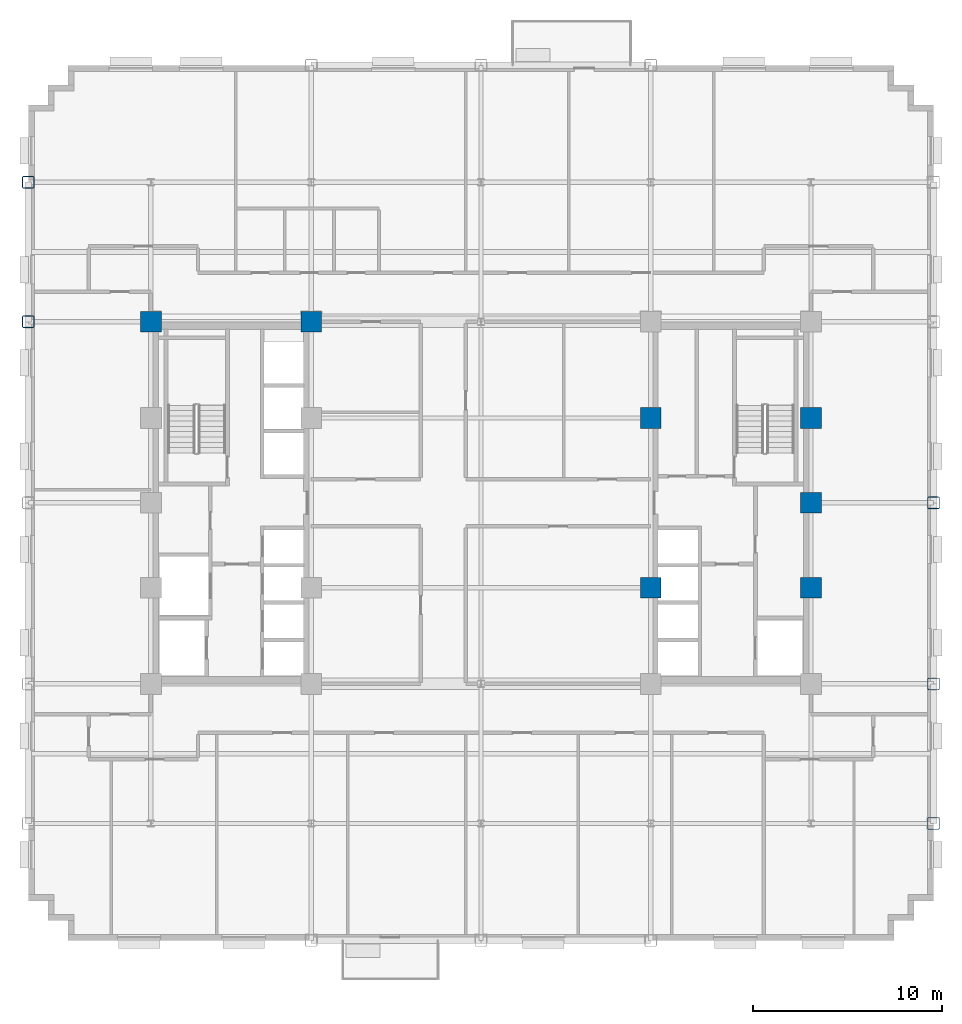
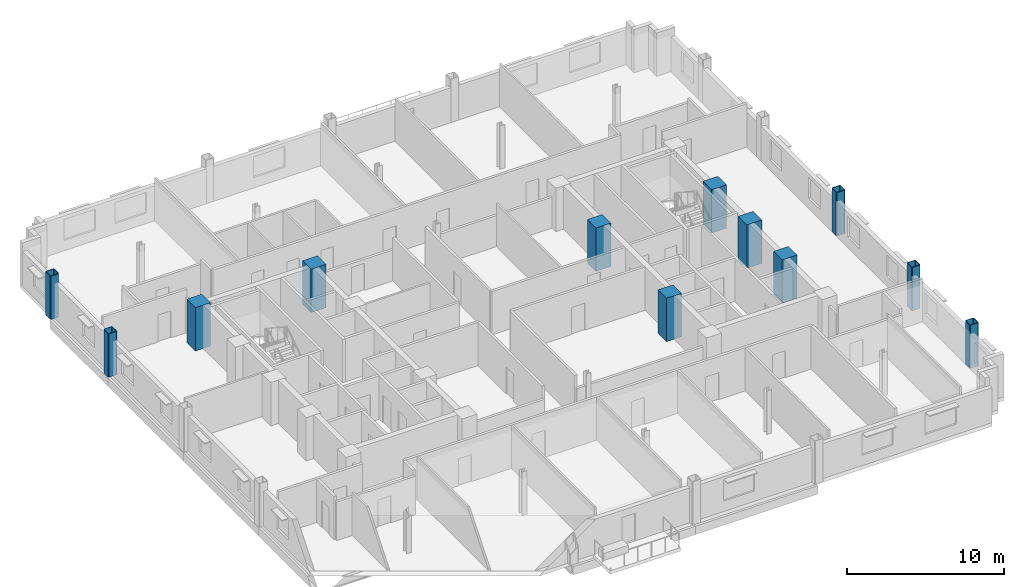
# One storey, part 2 of 14: 12 columns.
"""IFC4 building model written with IfcOpenShell, lengths in metres."""

from ifc_helpers import new_model, si_unit, direction, frame, origin, origin_2d, place, context, subcontext, project, spatial, rectangle, hollow_rectangle, extrude, material, material_profile, profile_set, type_object, element, save


model = new_model("IFC4")

# Units and contexts
model_context = context("Model", 3, precision=1e-05, world=origin(), true_north=direction((0.0, 1.0)))
body_context = subcontext(model_context, "Body", "Model", "MODEL_VIEW")
ifc_project = project(units=[si_unit("LENGTHUNIT", "METRE"), si_unit("AREAUNIT", "SQUARE_METRE"), si_unit("VOLUMEUNIT", "CUBIC_METRE"), si_unit("PLANEANGLEUNIT", "RADIAN"), si_unit("MASSUNIT", "GRAM", prefix="KILO")], contexts=[model_context])

# Site, building, storey
site_placement = place(None, origin())
site = spatial("IfcSite", under=ifc_project, at=site_placement, CompositionType="ELEMENT")
building_placement = place(site_placement, origin())
building = spatial("IfcBuilding", under=site, at=building_placement, Name="Nuvemarco Arch Tower", CompositionType="ELEMENT")
storey_placement = place(building_placement, frame((0.0, 0.0, 101.949951171875)))
storey = spatial("IfcBuildingStorey", under=building, at=storey_placement, Name="L26", CompositionType="ELEMENT", Elevation=101.949951171875)

# Columns
ifc_material_1 = material(Name="Concrete C60/75", Category="concrete")
ifc_material_profile_1 = material_profile(ifc_material_1, rectangle(XDim=1.10009765625, YDim=1.10009765625, at=origin_2d()), Name="RC-COL-1100x1100")
ifc_profile_set_1 = profile_set([ifc_material_profile_1], Name="Concrete C60/75")
column_type_1 = type_object("IfcColumnType", Name="COL-CORE-1100", PredefinedType="COLUMN", material=ifc_profile_set_1)
for number, where, z_axis, x_axis, name in (
    (1, (-17.5, 9.60009765625, 0.0), (0.0, 0.0, 1.0), (1.0, 0.0, 0.0), "L26 column CC_-17.5_+9.6"),
    (2, (-9.0, 9.60009765625, 0.0), (0.0, 0.0, 1.0), (1.0, 0.0, 0.0), "L26 column CC_-9.0_+9.6"),
    (3, (9.0, -4.5, 0.0), (0.0, 0.0, 1.0), (1.0, 0.0, 0.0), "L26 column CC_+9.0_-4.5"),
    (4, (9.0, 4.5, 0.0), (0.0, 0.0, 1.0), (1.0, 0.0, 0.0), "L26 column CC_+9.0_+4.5"),
    (5, (17.5, -4.5, 0.0), (0.0, 0.0, 1.0), (1.0, 0.0, 0.0), "L26 column CC_+17.5_-4.5"),
    (6, (17.5, 4.5, 0.0), (0.0, 0.0, 1.0), (1.0, 0.0, 0.0), "L26 column CC_+17.5_+4.5"),
    (7, (17.5, 0.0, 0.0), (0.0, 0.0, 1.0), (1.0, 0.0, 0.0), "L26 column CC_+17.5_+0.0"),
):
    element("IfcColumn", number, at=place(storey_placement, frame(where, z_axis=z_axis, x_axis=x_axis)), inside=storey, type_object=column_type_1, Name=name, PredefinedType="COLUMN", context=body_context, shape_type="SweptSolid", body=[
        extrude(rectangle(XDim=1.10009765625, YDim=1.10009765625, at=origin_2d()), origin(), (0.0, 0.0, 1.0), 3.3701171875),
    ])
ifc_material_2 = material(Name="Steel S355", Category="steel")
ifc_material_profile_2 = material_profile(ifc_material_2, hollow_rectangle(XDim=0.64990234375, YDim=0.64990234375, WallThickness=0.0400390625, InnerFilletRadius=0.0400390625, OuterFilletRadius=0.080078125, at=origin_2d()), Name="SHS650x650x40")
ifc_profile_set_2 = profile_set([ifc_material_profile_2], Name="Steel S355")
column_type_2 = type_object("IfcColumnType", Name="COL-EXO-650", PredefinedType="COLUMN", material=ifc_profile_set_2)
for number, where, z_axis, x_axis, name in (
    (8, (-24.0, 9.60009765625, 0.0), (0.0, 0.0, 1.0), (1.0, 0.0, 0.0), "L26 column CX_-24.0_+9.6"),
    (9, (-24.0, 17.0, 0.0), (0.0, 0.0, 1.0), (1.0, 0.0, 0.0), "L26 column CX_-24.0_+17.0"),
    (10, (24.0, -17.0, 0.0), (0.0, 0.0, 1.0), (1.0, 0.0, 0.0), "L26 column CX_+24.0_-17.0"),
    (11, (24.0, -9.60009765625, 0.0), (0.0, 0.0, 1.0), (1.0, 0.0, 0.0), "L26 column CX_+24.0_-9.6"),
    (12, (24.0, 0.0, 0.0), (0.0, 0.0, 1.0), (1.0, 0.0, 0.0), "L26 column CX_+24.0_+0.0"),
):
    element("IfcColumn", number, at=place(storey_placement, frame(where, z_axis=z_axis, x_axis=x_axis)), inside=storey, type_object=column_type_2, Name=name, PredefinedType="COLUMN", context=body_context, shape_type="SweptSolid", body=[
        extrude(hollow_rectangle(XDim=0.64990234375, YDim=0.64990234375, WallThickness=0.0400390625, InnerFilletRadius=0.0400390625, OuterFilletRadius=0.080078125, at=origin_2d()), origin(), (0.0, 0.0, 1.0), 3.3701171875),
    ])

save(model, "model.ifc")
